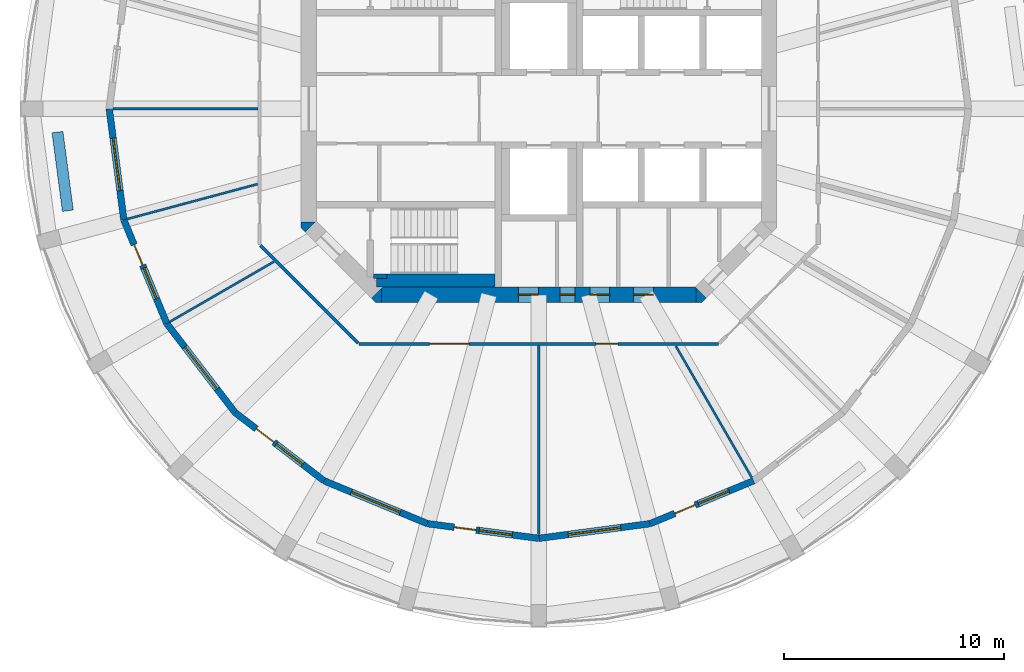
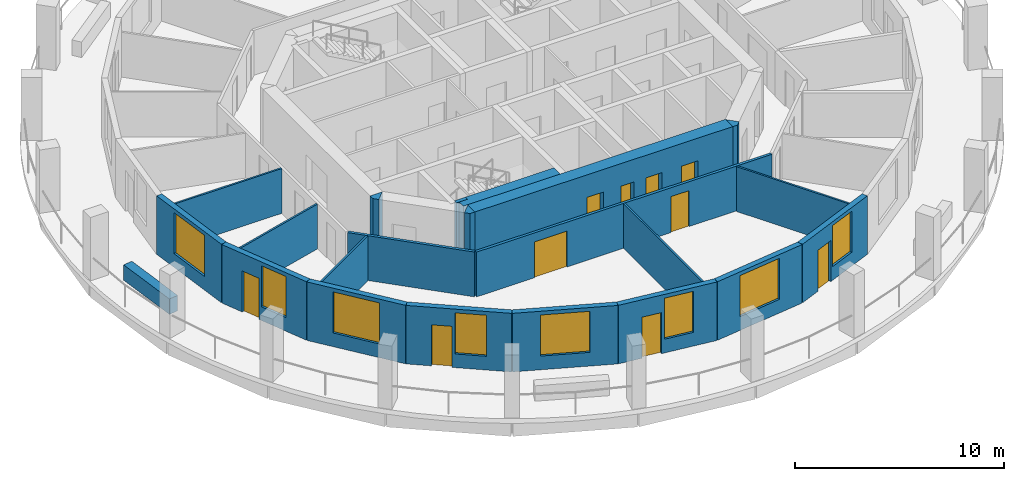
# One storey, part 2 of 8: 22 walls, 10 doors, 8 windows, 18 openings.
"""IFC4 building model written with IfcOpenShell, lengths in metres."""

from ifc_helpers import new_model, si_unit, direction, frame, frame_2d, origin, place, context, subcontext, project, spatial, polyline, rectangle, outline, extrude, material, layer, layer_set, type_object, element, fill, save


model = new_model("IFC4")

# Units and contexts
model_context = context("Model", 3, precision=1e-05, world=origin(), true_north=direction((0.0, 1.0)))
body_context = subcontext(model_context, "Body", "Model", "MODEL_VIEW")
ifc_project = project(units=[si_unit("LENGTHUNIT", "METRE"), si_unit("AREAUNIT", "SQUARE_METRE"), si_unit("VOLUMEUNIT", "CUBIC_METRE"), si_unit("PLANEANGLEUNIT", "RADIAN"), si_unit("MASSUNIT", "GRAM", prefix="KILO")], contexts=[model_context])

# Site, building, storey
site_placement = place(None, origin())
site = spatial("IfcSite", under=ifc_project, at=site_placement, CompositionType="ELEMENT")
building_placement = place(site_placement, origin())
building = spatial("IfcBuilding", under=site, at=building_placement, Name="Torre Triforio", CompositionType="ELEMENT")
storey_placement = place(building_placement, frame((0.0, 0.0, 200.199951171875)))
storey = spatial("IfcBuildingStorey", under=building, at=storey_placement, Name="L45", CompositionType="ELEMENT", Elevation=200.199951171875)

# Wall, openings, doors
ifc_material_1 = material(Name="Concrete C50", Category="concrete")
ifc_layer_1 = layer(ifc_material_1, 0.699951171875)
ifc_layer_set_1 = layer_set([ifc_layer_1], Name="Concrete C50")
wall_type_1 = type_object("IfcWallType", Name="Core wall 700 mm C50 EI 120", PredefinedType="SHEAR", material=ifc_layer_set_1)
wall_1_placement = place(storey_placement, frame((-7.1298828125, -8.449951171875, -0.280029296875), z_axis=(0.0, 0.0, 1.0), x_axis=(1.0, 0.0, 0.0)))
wall_1 = element("IfcWall", 1, at=wall_1_placement, inside=storey, type_object=wall_type_1, Name="Core wall", PredefinedType="SHEAR", context=body_context, shape_type="SweptSolid", body=[
    extrude(rectangle(XDim=14.259765625, YDim=0.699951171875, at=frame_2d((7.1298828125, 0.0))), origin(), (0.0, 0.0, 1.0), 3.7001953125),
])
opening_1_placement = place(wall_1_placement, frame((8.080078125, 0.0, 0.280029296875)))
opening_1 = element("IfcOpeningElement", 2, at=opening_1_placement, cuts=wall_1, Name="Opening RISER-S", PredefinedType="OPENING", context=body_context, shape_type="SweptSolid", body=[
    extrude(rectangle(XDim=0.699951171875, YDim=2.10009765625, at=frame_2d((0.35009765625, 1.050048828125))), frame((0.0, 0.35986328125, 0.0), z_axis=(0.0, -1.0, 0.0), x_axis=(1.0, 0.0, 0.0)), (0.0, 0.0, 1.0), 0.719970703125),
])
opening_2_placement = place(wall_1_placement, frame((6.205078125, 0.0, 0.280029296875)))
opening_2 = element("IfcOpeningElement", 3, at=opening_2_placement, cuts=wall_1, Name="Opening SW-01B", PredefinedType="OPENING", context=body_context, shape_type="SweptSolid", body=[
    extrude(rectangle(XDim=0.89990234375, YDim=2.10009765625, at=frame_2d((0.449951171875, 1.050048828125))), frame((0.0, 0.35986328125, 0.0), z_axis=(0.0, -1.0, 0.0), x_axis=(1.0, 0.0, 0.0)), (0.0, 0.0, 1.0), 0.719970703125),
])
opening_3_placement = place(wall_1_placement, frame((9.445068359375, 0.0, 0.280029296875)))
opening_3 = element("IfcOpeningElement", 4, at=opening_3_placement, cuts=wall_1, Name="Opening SE-01A", PredefinedType="OPENING", context=body_context, shape_type="SweptSolid", body=[
    extrude(rectangle(XDim=0.89990234375, YDim=2.10009765625, at=frame_2d((0.449951171875, 1.050048828125))), frame((0.0, 0.35986328125, 0.0), z_axis=(0.0, -1.0, 0.0), x_axis=(1.0, 0.0, 0.0)), (0.0, 0.0, 1.0), 0.719970703125),
])
opening_4_placement = place(wall_1_placement, frame((11.430908203125, 0.0, 0.280029296875)))
opening_4 = element("IfcOpeningElement", 5, at=opening_4_placement, cuts=wall_1, Name="Opening SE-02", PredefinedType="OPENING", context=body_context, shape_type="SweptSolid", body=[
    extrude(rectangle(XDim=0.89990234375, YDim=2.10009765625, at=frame_2d((0.449951171875, 1.050048828125))), frame((0.0, 0.35986328125, 0.0), z_axis=(0.0, -1.0, 0.0), x_axis=(1.0, 0.0, 0.0)), (0.0, 0.0, 1.0), 0.719970703125),
])
ifc_material_2 = material(Name="Hollow metal fire door leaf")
door_type_1 = type_object("IfcDoorType", Name="Riser door 700 x 2100 EI 60", OperationType="NOTDEFINED", PredefinedType="DOOR", material=ifc_material_2)
door_1_placement = place(opening_1_placement, origin())
door_1 = element("IfcDoor", 6, at=door_1_placement, inside=storey, type_object=door_type_1, Name="Core door RISER-S", OperationType="SINGLE_SWING_RIGHT", OverallHeight=2.10009765625, OverallWidth=0.699951171875, PredefinedType="DOOR", context=body_context, shape_type="SweptSolid", body=[
    extrude(rectangle(XDim=0.699951171875, YDim=2.10009765625, at=frame_2d((0.35009765625, 1.050048828125))), frame((0.0, 0.02490234375, 0.0), z_axis=(0.0, -1.0, 0.0), x_axis=(1.0, 0.0, 0.0)), (0.0, 0.0, 1.0), 0.050048828125),
])
fill(opening_1, door_1)
door_type_2 = type_object("IfcDoorType", Name="Room door 900 x 2100 EI 60", OperationType="NOTDEFINED", PredefinedType="DOOR", material=ifc_material_2)
door_2_placement = place(opening_2_placement, origin())
door_2 = element("IfcDoor", 7, at=door_2_placement, inside=storey, type_object=door_type_2, Name="Core door SW-01", OperationType="SINGLE_SWING_LEFT", OverallHeight=2.10009765625, OverallWidth=0.89990234375, PredefinedType="DOOR", context=body_context, shape_type="SweptSolid", body=[
    extrude(rectangle(XDim=0.89990234375, YDim=2.10009765625, at=frame_2d((0.449951171875, 1.050048828125))), frame((0.0, 0.02490234375, 0.0), z_axis=(0.0, -1.0, 0.0), x_axis=(1.0, 0.0, 0.0)), (0.0, 0.0, 1.0), 0.050048828125),
])
fill(opening_2, door_2)
door_3_placement = place(opening_3_placement, origin())
door_3 = element("IfcDoor", 8, at=door_3_placement, inside=storey, type_object=door_type_2, Name="Core door SE-01", OperationType="SINGLE_SWING_RIGHT", OverallHeight=2.10009765625, OverallWidth=0.89990234375, PredefinedType="DOOR", context=body_context, shape_type="SweptSolid", body=[
    extrude(rectangle(XDim=0.89990234375, YDim=2.10009765625, at=frame_2d((0.449951171875, 1.050048828125))), frame((0.0, 0.02490234375, 0.0), z_axis=(0.0, -1.0, 0.0), x_axis=(1.0, 0.0, 0.0)), (0.0, 0.0, 1.0), 0.050048828125),
])
fill(opening_3, door_3)
door_4_placement = place(opening_4_placement, origin())
door_4 = element("IfcDoor", 9, at=door_4_placement, inside=storey, type_object=door_type_2, Name="Core door SE-02", OperationType="SINGLE_SWING_LEFT", OverallHeight=2.10009765625, OverallWidth=0.89990234375, PredefinedType="DOOR", context=body_context, shape_type="SweptSolid", body=[
    extrude(rectangle(XDim=0.89990234375, YDim=2.10009765625, at=frame_2d((0.449951171875, 1.050048828125))), frame((0.0, 0.02490234375, 0.0), z_axis=(0.0, -1.0, 0.0), x_axis=(1.0, 0.0, 0.0)), (0.0, 0.0, 1.0), 0.050048828125),
])
fill(opening_4, door_4)

# Walls
wall_2_placement = place(storey_placement, frame((0.0, 0.0, -0.280029296875)))
element("IfcWall", 10, at=wall_2_placement, inside=storey, type_object=wall_type_1, Name="Core wall", PredefinedType="SHEAR", context=body_context, shape_type="SweptSolid", body=[
    extrude(outline(polyline([(-7.389892578125, -8.800048828125), (-7.594970703125, -8.594970703125), (-7.594970703125, -8.594970703125), (-7.594970703125, -8.594970703125), (-7.1298828125, -8.1298828125), (-7.1298828125, -8.800048828125), (-7.1298828125, -8.800048828125), (-7.389892578125, -8.800048828125)])), origin(), (0.0, 0.0, 1.0), 3.7001953125),
])
wall_3_placement = place(storey_placement, frame((0.0, 0.0, -0.280029296875)))
element("IfcWall", 11, at=wall_3_placement, inside=storey, type_object=wall_type_1, Name="Core wall", PredefinedType="SHEAR", context=body_context, shape_type="SweptSolid", body=[
    extrude(outline(polyline([(7.389892578125, -8.800048828125), (7.1298828125, -8.800048828125), (7.1298828125, -8.800048828125), (7.1298828125, -8.1298828125), (7.594970703125, -8.594970703125), (7.594970703125, -8.594970703125), (7.594970703125, -8.594970703125), (7.389892578125, -8.800048828125)])), origin(), (0.0, 0.0, 1.0), 3.7001953125),
])
wall_4_placement = place(storey_placement, frame((0.0, 0.0, -0.280029296875)))
element("IfcWall", 12, at=wall_4_placement, inside=storey, type_object=wall_type_1, Name="Core wall", PredefinedType="SHEAR", context=body_context, shape_type="SweptSolid", body=[
    extrude(outline(polyline([(-10.800048828125, -5.389892578125), (-10.800048828125, -5.1298828125), (-10.800048828125, -5.1298828125), (-10.1298828125, -5.1298828125), (-10.594970703125, -5.594970703125), (-10.594970703125, -5.594970703125), (-10.594970703125, -5.594970703125), (-10.800048828125, -5.389892578125)])), origin(), (0.0, 0.0, 1.0), 3.7001953125),
])

# Wall, openings, doors
ifc_material_3 = material(Name="Plasterboard on metal studs")
ifc_layer_2 = layer(ifc_material_3, 0.14990234375)
ifc_layer_set_2 = layer_set([ifc_layer_2], Name="Plasterboard on metal studs")
wall_type_2 = type_object("IfcWallType", Name="Corridor and tenancy wall 150 mm EI 60", PredefinedType="PARTITIONING", material=ifc_layer_set_2)
wall_5_placement = place(storey_placement, frame((8.16650390625, -10.675048828125, 0.0), z_axis=(0.0, 0.0, 1.0), x_axis=(-1.0, 0.0, 0.0)))
wall_5 = element("IfcWall", 13, at=wall_5_placement, inside=storey, type_object=wall_type_2, Name="Partition 3", PredefinedType="PARTITIONING", context=body_context, shape_type="SweptSolid", body=[
    extrude(rectangle(XDim=16.3330078125, YDim=0.14990234375, at=frame_2d((8.16650390625, 0.0))), origin(), (0.0, 0.0, 1.0), 2.6201171875),
])
opening_5_placement = place(wall_5_placement, frame((11.324951171875, 0.0, 0.0)))
opening_5 = element("IfcOpeningElement", 14, at=opening_5_placement, cuts=wall_5, Name="Opening O4-08", PredefinedType="OPENING", context=body_context, shape_type="SweptSolid", body=[
    extrude(rectangle(XDim=1.800048828125, YDim=2.10009765625, at=frame_2d((0.89990234375, 1.050048828125))), frame((0.0, 0.0849609375, 0.0), z_axis=(0.0, -1.0, 0.0), x_axis=(1.0, 0.0, 0.0)), (0.0, 0.0, 1.0), 0.169921875),
])
opening_6_placement = place(wall_5_placement, frame((4.5810546875, 0.0, 0.0)))
opening_6 = element("IfcOpeningElement", 15, at=opening_6_placement, cuts=wall_5, Name="Opening O4-09", PredefinedType="OPENING", context=body_context, shape_type="SweptSolid", body=[
    extrude(rectangle(XDim=1.0, YDim=2.10009765625, at=frame_2d((0.5, 1.050048828125))), frame((0.0, 0.0849609375, 0.0), z_axis=(0.0, -1.0, 0.0), x_axis=(1.0, 0.0, 0.0)), (0.0, 0.0, 1.0), 0.169921875),
])
ifc_material_4 = material(Name="Timber", Category="wood")
door_type_3 = type_object("IfcDoorType", Name="Door 1000 x 2100 single leaf EI 30", OperationType="NOTDEFINED", PredefinedType="DOOR", material=ifc_material_4)
door_5_placement = place(opening_6_placement, origin())
door_5 = element("IfcDoor", 16, at=door_5_placement, inside=storey, type_object=door_type_3, Name="Door O4-09", OperationType="SINGLE_SWING_LEFT", OverallHeight=2.10009765625, OverallWidth=1.0, PredefinedType="DOOR", context=body_context, shape_type="SweptSolid", body=[
    extrude(rectangle(XDim=1.0, YDim=2.10009765625, at=frame_2d((0.5, 1.050048828125))), frame((0.0, 0.02490234375, 0.0), z_axis=(0.0, -1.0, 0.0), x_axis=(1.0, 0.0, 0.0)), (0.0, 0.0, 1.0), 0.050048828125),
])
fill(opening_6, door_5)
door_type_4 = type_object("IfcDoorType", Name="Door 1800 x 2100 double leaf EI 30", OperationType="DOUBLE_DOOR_SINGLE_SWING", PredefinedType="DOOR", material=ifc_material_4)
door_6_placement = place(opening_5_placement, origin())
door_6 = element("IfcDoor", 17, at=door_6_placement, inside=storey, type_object=door_type_4, Name="Door O4-08", OperationType="DOUBLE_DOOR_SINGLE_SWING", OverallHeight=2.10009765625, OverallWidth=1.800048828125, PredefinedType="DOOR", context=body_context, shape_type="SweptSolid", body=[
    extrude(rectangle(XDim=1.800048828125, YDim=2.10009765625, at=frame_2d((0.89990234375, 1.050048828125))), frame((0.0, 0.02490234375, 0.0), z_axis=(0.0, -1.0, 0.0), x_axis=(1.0, 0.0, 0.0)), (0.0, 0.0, 1.0), 0.050048828125),
])
fill(opening_5, door_6)

# Walls
wall_6_placement = place(storey_placement, frame((-8.20361328125, -10.637939453125, 0.0), z_axis=(0.0, 0.0, 1.0), x_axis=(-0.707106781187, 0.707106781187, 0.0)))
element("IfcWall", 18, at=wall_6_placement, inside=storey, type_object=wall_type_2, Name="Partition 4", PredefinedType="PARTITIONING", context=body_context, shape_type="SweptSolid", body=[
    extrude(rectangle(XDim=6.27099609375, YDim=0.14990234375, at=frame_2d((3.135498046875, 0.0))), origin(), (0.0, 0.0, 1.0), 2.6201171875),
])
ifc_layer_3 = layer(ifc_material_3, 0.10009765625)
ifc_layer_set_3 = layer_set([ifc_layer_3], Name="Plasterboard on metal studs")
wall_type_3 = type_object("IfcWallType", Name="Partition 100 mm board on metal studs", PredefinedType="PARTITIONING", material=ifc_layer_set_3)
wall_7_placement = place(storey_placement, frame((-12.75, 0.0, 0.0), z_axis=(0.0, 0.0, 1.0), x_axis=(-1.0, 0.0, 0.0)))
element("IfcWall", 19, at=wall_7_placement, inside=storey, type_object=wall_type_3, Name="Partition 18", PredefinedType="PARTITIONING", context=body_context, shape_type="SweptSolid", body=[
    extrude(rectangle(XDim=6.586669921875, YDim=0.10009765625, at=frame_2d((3.29345703125, 0.0))), origin(), (0.0, 0.0, 1.0), 2.6201171875),
])
wall_8_placement = place(storey_placement, frame((-12.764404296875, -3.420166015625, 0.0), z_axis=(0.0, 0.0, 1.0), x_axis=(-0.965925800266, -0.258819142221, 0.0)))
element("IfcWall", 20, at=wall_8_placement, inside=storey, type_object=wall_type_3, Name="Partition 19", PredefinedType="PARTITIONING", context=body_context, shape_type="SweptSolid", body=[
    extrude(rectangle(XDim=6.121826171875, YDim=0.10009765625, at=frame_2d((3.06103515625, 0.0))), origin(), (0.0, 0.0, 1.0), 2.6201171875),
])
wall_9_placement = place(storey_placement, frame((-12.025146484375, -6.94287109375, 0.0), z_axis=(0.0, 0.0, 1.0), x_axis=(-0.866029712004, -0.499992537871, 0.0)))
element("IfcWall", 21, at=wall_9_placement, inside=storey, type_object=wall_type_3, Name="Partition 20", PredefinedType="PARTITIONING", context=body_context, shape_type="SweptSolid", body=[
    extrude(rectangle(XDim=5.451171875, YDim=0.10009765625, at=frame_2d((2.7255859375, 0.0))), origin(), (0.0, 0.0, 1.0), 2.6201171875),
])
wall_10_placement = place(storey_placement, frame((0.0, -10.75, 0.0), z_axis=(0.0, 0.0, 1.0), x_axis=(0.0, -1.0, 0.0)))
element("IfcWall", 22, at=wall_10_placement, inside=storey, type_object=wall_type_3, Name="Partition 21", PredefinedType="PARTITIONING", context=body_context, shape_type="SweptSolid", body=[
    extrude(rectangle(XDim=8.586669921875, YDim=0.10009765625, at=frame_2d((4.29345703125, 0.0))), origin(), (0.0, 0.0, 1.0), 2.6201171875),
])
wall_11_placement = place(storey_placement, frame((6.220703125, -10.774658203125, 0.0), z_axis=(0.0, 0.0, 1.0), x_axis=(0.500015661236, -0.866016361577, 0.0)))
element("IfcWall", 23, at=wall_11_placement, inside=storey, type_object=wall_type_3, Name="Partition 22", PredefinedType="PARTITIONING", context=body_context, shape_type="SweptSolid", body=[
    extrude(rectangle(XDim=6.895263671875, YDim=0.10009765625, at=frame_2d((3.44775390625, 0.0))), origin(), (0.0, 0.0, 1.0), 2.6201171875),
])
ifc_material_5 = material(Name="Limestone cladding", Category="masonry")
ifc_layer_4 = layer(ifc_material_5, 0.10009765625)
ifc_material_6 = material(Name="Concrete C40", Category="concrete")
ifc_layer_5 = layer(ifc_material_6, 0.39990234375)
ifc_layer_set_4 = layer_set([ifc_layer_4, ifc_layer_5], Name="Limestone cladding / Concrete C40")
wall_type_4 = type_object("IfcWallType", Name="Planter wall 500", PredefinedType="PARAPET", material=ifc_layer_set_4)
wall_12_placement = place(storey_placement, frame((-21.848388671875, -1.060791015625, 0.0), z_axis=(0.0, 0.0, 1.0), x_axis=(0.130475563272, -0.991451525486, 0.0)))
element("IfcWall", 24, at=wall_12_placement, inside=storey, type_object=wall_type_4, Name="Planter L45 bay 13", PredefinedType="PARAPET", context=body_context, shape_type="SweptSolid", body=[
    extrude(rectangle(XDim=3.60009765625, YDim=0.5, at=frame_2d((1.800048828125, 0.0))), origin(), (0.0, 0.0, 1.0), 0.900146484375),
])
ifc_layer_6 = layer(ifc_material_1, 0.199951171875)
ifc_layer_set_5 = layer_set([ifc_layer_6], Name="Concrete C50")
wall_type_5 = type_object("IfcWallType", Name="Stair wall 200 mm C50 EI 120", PredefinedType="SHEAR", material=ifc_layer_set_5)
wall_13_placement = place(storey_placement, frame((-7.5, -7.60009765625, 0.0), z_axis=(0.0, 0.0, 1.0), x_axis=(1.0, 0.0, 0.0)))
element("IfcWall", 25, at=wall_13_placement, inside=storey, type_object=wall_type_5, Name="Stair wall", PredefinedType="SHEAR", context=body_context, shape_type="SweptSolid", body=[
    extrude(rectangle(XDim=0.60009765625, YDim=0.199951171875, at=frame_2d((0.300048828125, 0.0))), origin(), (0.0, 0.0, 1.0), 3.420166015625),
])
ifc_layer_7 = layer(ifc_material_1, 0.60009765625)
ifc_layer_set_6 = layer_set([ifc_layer_7], Name="Concrete C50")
wall_type_6 = type_object("IfcWallType", Name="Stair wall 600 mm C50 EI 120", PredefinedType="SHEAR", material=ifc_layer_set_6)
wall_14_placement = place(storey_placement, frame((-7.3701171875, -7.800048828125, 0.0), z_axis=(0.0, 0.0, 1.0), x_axis=(1.0, 0.0, 0.0)))
element("IfcWall", 26, at=wall_14_placement, inside=storey, type_object=wall_type_6, Name="Stair wall", PredefinedType="SHEAR", context=body_context, shape_type="SweptSolid", body=[
    extrude(rectangle(XDim=5.3701171875, YDim=0.60009765625, at=frame_2d((2.68505859375, 0.0))), origin(), (0.0, 0.0, 1.0), 3.420166015625),
])

# Wall, opening, window
ifc_layer_8 = layer(ifc_material_5, 0.10009765625)
ifc_layer_9 = layer(ifc_material_6, 0.199951171875)
ifc_layer_set_7 = layer_set([ifc_layer_8, ifc_layer_9], Name="Limestone cladding / Concrete C40")
wall_type_7 = type_object("IfcWallType", Name="Stone-faced composite wall 300", PredefinedType="STANDARD", material=ifc_layer_set_7)
wall_15_placement = place(storey_placement, frame((-19.5, 0.0, 0.0), z_axis=(0.0, 0.0, 1.0), x_axis=(0.130495451964, -0.99144890792, 0.0)))
wall_15 = element("IfcWall", 27, at=wall_15_placement, inside=storey, type_object=wall_type_7, Name="External wall L45 bay 13", PredefinedType="STANDARD", context=body_context, shape_type="SweptSolid", body=[
    extrude(rectangle(XDim=5.090576171875, YDim=0.300048828125, at=frame_2d((2.54541015625, 0.0))), origin(), (0.0, 0.0, 1.0), 3.420166015625),
])
opening_7_placement = place(wall_15_placement, frame((1.34521484375, 0.0, 0.800048828125)))
opening_7 = element("IfcOpeningElement", 28, at=opening_7_placement, cuts=wall_15, Name="Opening O4-W13", PredefinedType="OPENING", context=body_context, shape_type="SweptSolid", body=[
    extrude(rectangle(XDim=2.39990234375, YDim=2.39990234375, at=frame_2d((1.199951171875, 1.199951171875))), frame((0.0, 0.159912109375, 0.0), z_axis=(0.0, -1.0, 0.0), x_axis=(1.0, 0.0, 0.0)), (0.0, 0.0, 1.0), 0.320068359375),
])
ifc_material_7 = material(Name="Aluminium frame with clear double glazing", Category="aluminium")
window_type_1 = type_object("IfcWindowType", Name="Punched window 2400 x 2400", PartitioningType="DOUBLE_PANEL_VERTICAL", PredefinedType="WINDOW", material=ifc_material_7)
window_1_placement = place(opening_7_placement, origin())
window_1 = element("IfcWindow", 29, at=window_1_placement, inside=storey, type_object=window_type_1, Name="Window EWN4 L45 bay 13", OverallHeight=2.39990234375, OverallWidth=2.39990234375, PartitioningType="SINGLE_PANEL", PredefinedType="WINDOW", context=body_context, shape_type="SweptSolid", body=[
    extrude(rectangle(XDim=2.39990234375, YDim=2.39990234375, at=frame_2d((1.199951171875, 1.199951171875))), frame((0.0, 0.030029296875, 0.0), z_axis=(0.0, -1.0, 0.0), x_axis=(1.0, 0.0, 0.0)), (0.0, 0.0, 1.0), 0.06005859375),
])
fill(opening_7, window_1)

# Wall, openings, door, window
wall_16_placement = place(storey_placement, frame((-18.835693359375, -5.047119140625, 0.0), z_axis=(0.0, 0.0, 1.0), x_axis=(0.382724538613, -0.923862504675, 0.0)))
wall_16 = element("IfcWall", 30, at=wall_16_placement, inside=storey, type_object=wall_type_7, Name="External wall L45 bay 14", PredefinedType="STANDARD", context=body_context, shape_type="SweptSolid", body=[
    extrude(rectangle(XDim=5.090576171875, YDim=0.300048828125, at=frame_2d((2.54541015625, 0.0))), origin(), (0.0, 0.0, 1.0), 3.420166015625),
])
opening_8_placement = place(wall_16_placement, frame((1.22021484375, 0.0, 0.0)))
opening_8 = element("IfcOpeningElement", 31, at=opening_8_placement, cuts=wall_16, Name="Opening O4-D14", PredefinedType="OPENING", context=body_context, shape_type="SweptSolid", body=[
    extrude(rectangle(XDim=1.0, YDim=2.39990234375, at=frame_2d((0.5, 1.199951171875))), frame((0.0, 0.159912109375, 0.0), z_axis=(0.0, -1.0, 0.0), x_axis=(1.0, 0.0, 0.0)), (0.0, 0.0, 1.0), 0.320068359375),
])
opening_9_placement = place(wall_16_placement, frame((2.370361328125, 0.0, 0.800048828125)))
opening_9 = element("IfcOpeningElement", 32, at=opening_9_placement, cuts=wall_16, Name="Opening O4-W14A", PredefinedType="OPENING", context=body_context, shape_type="SweptSolid", body=[
    extrude(rectangle(XDim=1.5, YDim=2.39990234375, at=frame_2d((0.75, 1.199951171875))), frame((0.0, 0.159912109375, 0.0), z_axis=(0.0, -1.0, 0.0), x_axis=(1.0, 0.0, 0.0)), (0.0, 0.0, 1.0), 0.320068359375),
])
door_type_5 = type_object("IfcDoorType", Name="Loggia door 1000 x 2400", OperationType="NOTDEFINED", PredefinedType="DOOR", material=ifc_material_7)
door_7_placement = place(opening_8_placement, origin())
door_7 = element("IfcDoor", 33, at=door_7_placement, inside=storey, type_object=door_type_5, Name="Loggia door L45 bay 14", OperationType="SINGLE_SWING_LEFT", OverallHeight=2.39990234375, OverallWidth=1.0, PredefinedType="DOOR", context=body_context, shape_type="SweptSolid", body=[
    extrude(rectangle(XDim=1.0, YDim=2.39990234375, at=frame_2d((0.5, 1.199951171875))), frame((0.0, 0.02490234375, 0.0), z_axis=(0.0, -1.0, 0.0), x_axis=(1.0, 0.0, 0.0)), (0.0, 0.0, 1.0), 0.050048828125),
])
fill(opening_8, door_7)
window_type_2 = type_object("IfcWindowType", Name="Side window 1500 x 2400", PartitioningType="SINGLE_PANEL", PredefinedType="WINDOW", material=ifc_material_7)
window_2_placement = place(opening_9_placement, origin())
window_2 = element("IfcWindow", 34, at=window_2_placement, inside=storey, type_object=window_type_2, Name="Side window EWN14 L45 bay 14", OverallHeight=2.39990234375, OverallWidth=1.5, PartitioningType="SINGLE_PANEL", PredefinedType="WINDOW", context=body_context, shape_type="SweptSolid", body=[
    extrude(rectangle(XDim=1.5, YDim=2.39990234375, at=frame_2d((0.75, 1.199951171875))), frame((0.0, 0.030029296875, 0.0), z_axis=(0.0, -1.0, 0.0), x_axis=(1.0, 0.0, 0.0)), (0.0, 0.0, 1.0), 0.06005859375),
])
fill(opening_9, window_2)

# Wall, opening, window
wall_17_placement = place(storey_placement, frame((-16.887451171875, -9.75, 0.0), z_axis=(0.0, 0.0, 1.0), x_axis=(0.608757714995, -0.79335619014, 0.0)))
wall_17 = element("IfcWall", 35, at=wall_17_placement, inside=storey, type_object=wall_type_7, Name="External wall L45 bay 15", PredefinedType="STANDARD", context=body_context, shape_type="SweptSolid", body=[
    extrude(rectangle(XDim=5.090576171875, YDim=0.300048828125, at=frame_2d((2.54541015625, 0.0))), origin(), (0.0, 0.0, 1.0), 3.420166015625),
])
opening_10_placement = place(wall_17_placement, frame((1.34521484375, 0.0, 0.800048828125)))
opening_10 = element("IfcOpeningElement", 36, at=opening_10_placement, cuts=wall_17, Name="Opening O4-W15", PredefinedType="OPENING", context=body_context, shape_type="SweptSolid", body=[
    extrude(rectangle(XDim=2.39990234375, YDim=2.39990234375, at=frame_2d((1.199951171875, 1.199951171875))), frame((0.0, 0.159912109375, 0.0), z_axis=(0.0, -1.0, 0.0), x_axis=(1.0, 0.0, 0.0)), (0.0, 0.0, 1.0), 0.320068359375),
])
window_3_placement = place(opening_10_placement, origin())
window_3 = element("IfcWindow", 37, at=window_3_placement, inside=storey, type_object=window_type_1, Name="Window EWN4 L45 bay 15", OverallHeight=2.39990234375, OverallWidth=2.39990234375, PartitioningType="SINGLE_PANEL", PredefinedType="WINDOW", context=body_context, shape_type="SweptSolid", body=[
    extrude(rectangle(XDim=2.39990234375, YDim=2.39990234375, at=frame_2d((1.199951171875, 1.199951171875))), frame((0.0, 0.030029296875, 0.0), z_axis=(0.0, -1.0, 0.0), x_axis=(1.0, 0.0, 0.0)), (0.0, 0.0, 1.0), 0.06005859375),
])
fill(opening_10, window_3)

# Wall, openings, door, window
wall_18_placement = place(storey_placement, frame((-13.78857421875, -13.78857421875, 0.0), z_axis=(0.0, 0.0, 1.0), x_axis=(0.79335619014, -0.608757714995, 0.0)))
wall_18 = element("IfcWall", 38, at=wall_18_placement, inside=storey, type_object=wall_type_7, Name="External wall L45 bay 16", PredefinedType="STANDARD", context=body_context, shape_type="SweptSolid", body=[
    extrude(rectangle(XDim=5.090576171875, YDim=0.300048828125, at=frame_2d((2.54541015625, 0.0))), origin(), (0.0, 0.0, 1.0), 3.420166015625),
])
opening_11_placement = place(wall_18_placement, frame((1.22021484375, 0.0, 0.0)))
opening_11 = element("IfcOpeningElement", 39, at=opening_11_placement, cuts=wall_18, Name="Opening O4-D16", PredefinedType="OPENING", context=body_context, shape_type="SweptSolid", body=[
    extrude(rectangle(XDim=1.0, YDim=2.39990234375, at=frame_2d((0.5, 1.199951171875))), frame((0.0, 0.159912109375, 0.0), z_axis=(0.0, -1.0, 0.0), x_axis=(1.0, 0.0, 0.0)), (0.0, 0.0, 1.0), 0.320068359375),
])
opening_12_placement = place(wall_18_placement, frame((2.370361328125, 0.0, 0.800048828125)))
opening_12 = element("IfcOpeningElement", 40, at=opening_12_placement, cuts=wall_18, Name="Opening O4-W16A", PredefinedType="OPENING", context=body_context, shape_type="SweptSolid", body=[
    extrude(rectangle(XDim=1.5, YDim=2.39990234375, at=frame_2d((0.75, 1.199951171875))), frame((0.0, 0.159912109375, 0.0), z_axis=(0.0, -1.0, 0.0), x_axis=(1.0, 0.0, 0.0)), (0.0, 0.0, 1.0), 0.320068359375),
])
door_8_placement = place(opening_11_placement, origin())
door_8 = element("IfcDoor", 41, at=door_8_placement, inside=storey, type_object=door_type_5, Name="Loggia door L45 bay 16", OperationType="SINGLE_SWING_LEFT", OverallHeight=2.39990234375, OverallWidth=1.0, PredefinedType="DOOR", context=body_context, shape_type="SweptSolid", body=[
    extrude(rectangle(XDim=1.0, YDim=2.39990234375, at=frame_2d((0.5, 1.199951171875))), frame((0.0, 0.02490234375, 0.0), z_axis=(0.0, -1.0, 0.0), x_axis=(1.0, 0.0, 0.0)), (0.0, 0.0, 1.0), 0.050048828125),
])
fill(opening_11, door_8)
window_4_placement = place(opening_12_placement, origin())
window_4 = element("IfcWindow", 42, at=window_4_placement, inside=storey, type_object=window_type_2, Name="Side window EWN14 L45 bay 16", OverallHeight=2.39990234375, OverallWidth=1.5, PartitioningType="SINGLE_PANEL", PredefinedType="WINDOW", context=body_context, shape_type="SweptSolid", body=[
    extrude(rectangle(XDim=1.5, YDim=2.39990234375, at=frame_2d((0.75, 1.199951171875))), frame((0.0, 0.030029296875, 0.0), z_axis=(0.0, -1.0, 0.0), x_axis=(1.0, 0.0, 0.0)), (0.0, 0.0, 1.0), 0.06005859375),
])
fill(opening_12, window_4)

# Wall, opening, window
wall_19_placement = place(storey_placement, frame((-9.75, -16.887451171875, 0.0), z_axis=(0.0, 0.0, 1.0), x_axis=(0.923862504675, -0.382724538613, 0.0)))
wall_19 = element("IfcWall", 43, at=wall_19_placement, inside=storey, type_object=wall_type_7, Name="External wall L45 bay 17", PredefinedType="STANDARD", context=body_context, shape_type="SweptSolid", body=[
    extrude(rectangle(XDim=5.090576171875, YDim=0.300048828125, at=frame_2d((2.54541015625, 0.0))), origin(), (0.0, 0.0, 1.0), 3.420166015625),
])
opening_13_placement = place(wall_19_placement, frame((1.34521484375, 0.0, 0.800048828125)))
opening_13 = element("IfcOpeningElement", 44, at=opening_13_placement, cuts=wall_19, Name="Opening O4-W17", PredefinedType="OPENING", context=body_context, shape_type="SweptSolid", body=[
    extrude(rectangle(XDim=2.39990234375, YDim=2.39990234375, at=frame_2d((1.199951171875, 1.199951171875))), frame((0.0, 0.159912109375, 0.0), z_axis=(0.0, -1.0, 0.0), x_axis=(1.0, 0.0, 0.0)), (0.0, 0.0, 1.0), 0.320068359375),
])
window_5_placement = place(opening_13_placement, origin())
window_5 = element("IfcWindow", 45, at=window_5_placement, inside=storey, type_object=window_type_1, Name="Window EWN4 L45 bay 17", OverallHeight=2.39990234375, OverallWidth=2.39990234375, PartitioningType="SINGLE_PANEL", PredefinedType="WINDOW", context=body_context, shape_type="SweptSolid", body=[
    extrude(rectangle(XDim=2.39990234375, YDim=2.39990234375, at=frame_2d((1.199951171875, 1.199951171875))), frame((0.0, 0.030029296875, 0.0), z_axis=(0.0, -1.0, 0.0), x_axis=(1.0, 0.0, 0.0)), (0.0, 0.0, 1.0), 0.06005859375),
])
fill(opening_13, window_5)

# Wall, openings, door, window
wall_20_placement = place(storey_placement, frame((-5.047119140625, -18.835693359375, 0.0), z_axis=(0.0, 0.0, 1.0), x_axis=(0.99144890792, -0.130495451964, 0.0)))
wall_20 = element("IfcWall", 46, at=wall_20_placement, inside=storey, type_object=wall_type_7, Name="External wall L45 bay 18", PredefinedType="STANDARD", context=body_context, shape_type="SweptSolid", body=[
    extrude(rectangle(XDim=5.090576171875, YDim=0.300048828125, at=frame_2d((2.54541015625, 0.0))), origin(), (0.0, 0.0, 1.0), 3.420166015625),
])
opening_14_placement = place(wall_20_placement, frame((1.22021484375, 0.0, 0.0)))
opening_14 = element("IfcOpeningElement", 47, at=opening_14_placement, cuts=wall_20, Name="Opening O4-D18", PredefinedType="OPENING", context=body_context, shape_type="SweptSolid", body=[
    extrude(rectangle(XDim=1.0, YDim=2.39990234375, at=frame_2d((0.5, 1.199951171875))), frame((0.0, 0.159912109375, 0.0), z_axis=(0.0, -1.0, 0.0), x_axis=(1.0, 0.0, 0.0)), (0.0, 0.0, 1.0), 0.320068359375),
])
opening_15_placement = place(wall_20_placement, frame((2.370361328125, 0.0, 0.800048828125)))
opening_15 = element("IfcOpeningElement", 48, at=opening_15_placement, cuts=wall_20, Name="Opening O4-W18A", PredefinedType="OPENING", context=body_context, shape_type="SweptSolid", body=[
    extrude(rectangle(XDim=1.5, YDim=2.39990234375, at=frame_2d((0.75, 1.199951171875))), frame((0.0, 0.159912109375, 0.0), z_axis=(0.0, -1.0, 0.0), x_axis=(1.0, 0.0, 0.0)), (0.0, 0.0, 1.0), 0.320068359375),
])
door_9_placement = place(opening_14_placement, origin())
door_9 = element("IfcDoor", 49, at=door_9_placement, inside=storey, type_object=door_type_5, Name="Loggia door L45 bay 18", OperationType="SINGLE_SWING_LEFT", OverallHeight=2.39990234375, OverallWidth=1.0, PredefinedType="DOOR", context=body_context, shape_type="SweptSolid", body=[
    extrude(rectangle(XDim=1.0, YDim=2.39990234375, at=frame_2d((0.5, 1.199951171875))), frame((0.0, 0.02490234375, 0.0), z_axis=(0.0, -1.0, 0.0), x_axis=(1.0, 0.0, 0.0)), (0.0, 0.0, 1.0), 0.050048828125),
])
fill(opening_14, door_9)
window_6_placement = place(opening_15_placement, origin())
window_6 = element("IfcWindow", 50, at=window_6_placement, inside=storey, type_object=window_type_2, Name="Side window EWN14 L45 bay 18", OverallHeight=2.39990234375, OverallWidth=1.5, PartitioningType="SINGLE_PANEL", PredefinedType="WINDOW", context=body_context, shape_type="SweptSolid", body=[
    extrude(rectangle(XDim=1.5, YDim=2.39990234375, at=frame_2d((0.75, 1.199951171875))), frame((0.0, 0.030029296875, 0.0), z_axis=(0.0, -1.0, 0.0), x_axis=(1.0, 0.0, 0.0)), (0.0, 0.0, 1.0), 0.06005859375),
])
fill(opening_15, window_6)

# Wall, opening, window
wall_21_placement = place(storey_placement, frame((0.0, -19.5, 0.0), z_axis=(0.0, 0.0, 1.0), x_axis=(0.99144890792, 0.130495451964, 0.0)))
wall_21 = element("IfcWall", 51, at=wall_21_placement, inside=storey, type_object=wall_type_7, Name="External wall L45 bay 19", PredefinedType="STANDARD", context=body_context, shape_type="SweptSolid", body=[
    extrude(rectangle(XDim=5.090576171875, YDim=0.300048828125, at=frame_2d((2.54541015625, 0.0))), origin(), (0.0, 0.0, 1.0), 3.420166015625),
])
opening_16_placement = place(wall_21_placement, frame((1.34521484375, 0.0, 0.800048828125)))
opening_16 = element("IfcOpeningElement", 52, at=opening_16_placement, cuts=wall_21, Name="Opening O4-W19", PredefinedType="OPENING", context=body_context, shape_type="SweptSolid", body=[
    extrude(rectangle(XDim=2.39990234375, YDim=2.39990234375, at=frame_2d((1.199951171875, 1.199951171875))), frame((0.0, 0.159912109375, 0.0), z_axis=(0.0, -1.0, 0.0), x_axis=(1.0, 0.0, 0.0)), (0.0, 0.0, 1.0), 0.320068359375),
])
window_7_placement = place(opening_16_placement, origin())
window_7 = element("IfcWindow", 53, at=window_7_placement, inside=storey, type_object=window_type_1, Name="Window EWN4 L45 bay 19", OverallHeight=2.39990234375, OverallWidth=2.39990234375, PartitioningType="SINGLE_PANEL", PredefinedType="WINDOW", context=body_context, shape_type="SweptSolid", body=[
    extrude(rectangle(XDim=2.39990234375, YDim=2.39990234375, at=frame_2d((1.199951171875, 1.199951171875))), frame((0.0, 0.030029296875, 0.0), z_axis=(0.0, -1.0, 0.0), x_axis=(1.0, 0.0, 0.0)), (0.0, 0.0, 1.0), 0.06005859375),
])
fill(opening_16, window_7)

# Wall, openings, door, window
wall_22_placement = place(storey_placement, frame((5.047119140625, -18.835693359375, 0.0), z_axis=(0.0, 0.0, 1.0), x_axis=(0.923862504675, 0.382724538613, 0.0)))
wall_22 = element("IfcWall", 54, at=wall_22_placement, inside=storey, type_object=wall_type_7, Name="External wall L45 bay 20", PredefinedType="STANDARD", context=body_context, shape_type="SweptSolid", body=[
    extrude(rectangle(XDim=5.090576171875, YDim=0.300048828125, at=frame_2d((2.54541015625, 0.0))), origin(), (0.0, 0.0, 1.0), 3.420166015625),
])
opening_17_placement = place(wall_22_placement, frame((1.22021484375, 0.0, 0.0)))
opening_17 = element("IfcOpeningElement", 55, at=opening_17_placement, cuts=wall_22, Name="Opening O4-D20", PredefinedType="OPENING", context=body_context, shape_type="SweptSolid", body=[
    extrude(rectangle(XDim=1.0, YDim=2.39990234375, at=frame_2d((0.5, 1.199951171875))), frame((0.0, 0.159912109375, 0.0), z_axis=(0.0, -1.0, 0.0), x_axis=(1.0, 0.0, 0.0)), (0.0, 0.0, 1.0), 0.320068359375),
])
opening_18_placement = place(wall_22_placement, frame((2.370361328125, 0.0, 0.800048828125)))
opening_18 = element("IfcOpeningElement", 56, at=opening_18_placement, cuts=wall_22, Name="Opening O4-W20A", PredefinedType="OPENING", context=body_context, shape_type="SweptSolid", body=[
    extrude(rectangle(XDim=1.5, YDim=2.39990234375, at=frame_2d((0.75, 1.199951171875))), frame((0.0, 0.159912109375, 0.0), z_axis=(0.0, -1.0, 0.0), x_axis=(1.0, 0.0, 0.0)), (0.0, 0.0, 1.0), 0.320068359375),
])
door_10_placement = place(opening_17_placement, origin())
door_10 = element("IfcDoor", 57, at=door_10_placement, inside=storey, type_object=door_type_5, Name="Loggia door L45 bay 20", OperationType="SINGLE_SWING_LEFT", OverallHeight=2.39990234375, OverallWidth=1.0, PredefinedType="DOOR", context=body_context, shape_type="SweptSolid", body=[
    extrude(rectangle(XDim=1.0, YDim=2.39990234375, at=frame_2d((0.5, 1.199951171875))), frame((0.0, 0.02490234375, 0.0), z_axis=(0.0, -1.0, 0.0), x_axis=(1.0, 0.0, 0.0)), (0.0, 0.0, 1.0), 0.050048828125),
])
fill(opening_17, door_10)
window_8_placement = place(opening_18_placement, origin())
window_8 = element("IfcWindow", 58, at=window_8_placement, inside=storey, type_object=window_type_2, Name="Side window EWN14 L45 bay 20", OverallHeight=2.39990234375, OverallWidth=1.5, PartitioningType="SINGLE_PANEL", PredefinedType="WINDOW", context=body_context, shape_type="SweptSolid", body=[
    extrude(rectangle(XDim=1.5, YDim=2.39990234375, at=frame_2d((0.75, 1.199951171875))), frame((0.0, 0.030029296875, 0.0), z_axis=(0.0, -1.0, 0.0), x_axis=(1.0, 0.0, 0.0)), (0.0, 0.0, 1.0), 0.06005859375),
])
fill(opening_18, window_8)

save(model, "model.ifc")
